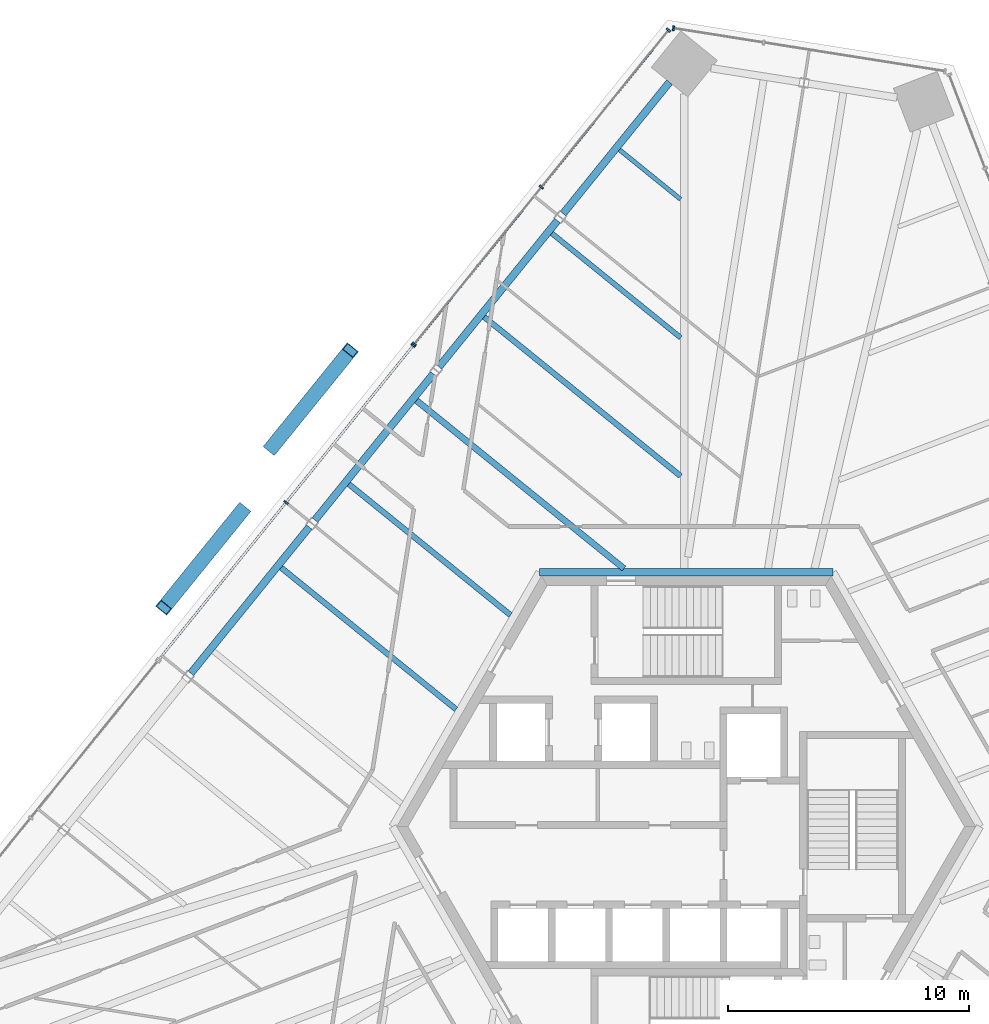
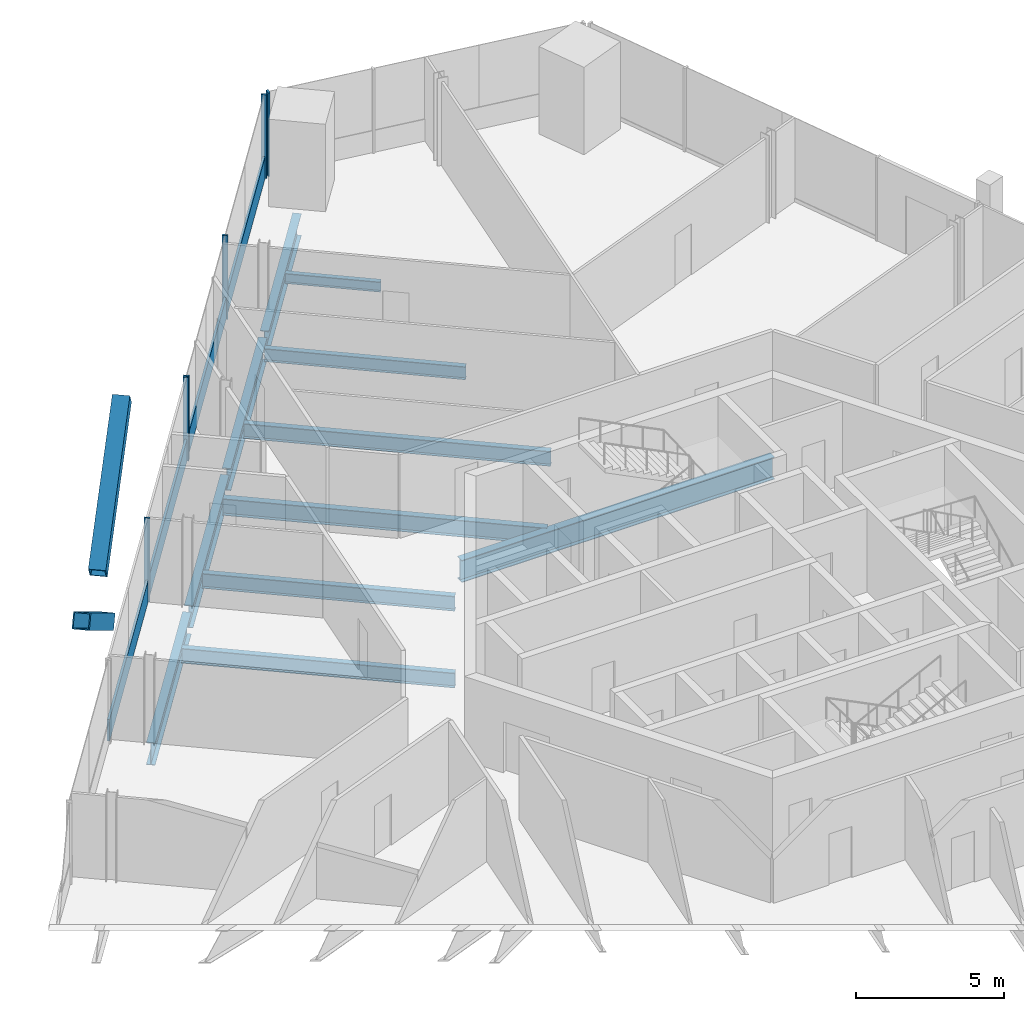
# One storey, part 7 of 18: 12 members, 11 beams, 3 elements without a shape of their own.
"""IFC4 building model written with IfcOpenShell, lengths in metres."""

from ifc_helpers import new_model, si_unit, direction, frame, origin, origin_2d, place, context, subcontext, project, spatial, rectangle, hollow_rectangle, i_section, extrude, source, transform, mapped, material, material_profile, profile_set, type_object, element, aggregate, save


model = new_model("IFC4")

# Units and contexts
model_context = context("Model", 3, precision=1e-05, world=origin(), true_north=direction((0.0, 1.0)))
body_context = subcontext(model_context, "Body", "Model", "MODEL_VIEW")
ifc_project = project(units=[si_unit("LENGTHUNIT", "METRE"), si_unit("AREAUNIT", "SQUARE_METRE"), si_unit("VOLUMEUNIT", "CUBIC_METRE"), si_unit("PLANEANGLEUNIT", "RADIAN"), si_unit("MASSUNIT", "GRAM", prefix="KILO")], contexts=[model_context])

# Site, building, storey
site_placement = place(None, origin())
site = spatial("IfcSite", under=ifc_project, at=site_placement, CompositionType="ELEMENT")
building_placement = place(site_placement, origin())
building = spatial("IfcBuilding", under=site, at=building_placement, Name="Triune Harvest Tower", CompositionType="ELEMENT")
storey_placement = place(building_placement, frame((0.0, 0.0, 156.89990234375)))
storey = spatial("IfcBuildingStorey", under=building, at=storey_placement, Name="L40", CompositionType="ELEMENT", Elevation=156.89990234375)

# Beams
ifc_material_1 = material(Name="Steel ASTM A992 Gr 50", Category="steel")
ifc_material_profile_1 = material_profile(ifc_material_1, i_section(OverallWidth=0.3046875, OverallDepth=0.914306640625, WebThickness=0.0166015625, FlangeThickness=0.02587890625, at=origin_2d()), Name="W36x160")
ifc_profile_set_1 = profile_set([ifc_material_profile_1], Name="Steel ASTM A992 Gr 50")
beam_type_1 = type_object("IfcBeamType", Name="CG-1 Core ring girder W36x160", PredefinedType="BEAM", material=ifc_profile_set_1)
shared_shape_1 = source(origin(), body_context, "Body", "SweptSolid", [
    extrude(i_section(OverallWidth=0.3046875, OverallDepth=0.914306640625, WebThickness=0.0166015625, FlangeThickness=0.02587890625, at=origin_2d()), origin(), (0.0, 0.0, 1.0), 12.17578125),
])
beam_1_placement = place(storey_placement, frame((6.087890625, 10.544677734375, -0.6171875), z_axis=(-1.0, 0.0, 0.0), x_axis=(0.0, -1.0, 0.0)))
element("IfcBeam", 1, at=beam_1_placement, inside=storey, type_object=beam_type_1, Name="beam/L40/CG2", PredefinedType="BEAM", context=body_context, shape_type="MappedRepresentation", body=[
    mapped(shared_shape_1, transform((0.0, 0.0, 0.0), scale=1.0)),
])
ifc_material_2 = material(Name="Steel ASTM A992 Gr 50", Category="steel")
ifc_material_profile_2 = material_profile(ifc_material_2, i_section(OverallWidth=0.3046875, OverallDepth=0.914306640625, WebThickness=0.0166015625, FlangeThickness=0.02587890625, at=origin_2d()), Name="W36x160")
ifc_profile_set_2 = profile_set([ifc_material_profile_2], Name="Steel ASTM A992 Gr 50")
beam_type_2 = type_object("IfcBeamType", Name="SB-1 Spandrel beam W36x160", PredefinedType="SPANDREL", material=ifc_profile_set_2)
shared_shape_2 = source(origin(), body_context, "Body", "SweptSolid", [
    extrude(i_section(OverallWidth=0.3046875, OverallDepth=0.914306640625, WebThickness=0.0166015625, FlangeThickness=0.02587890625, at=origin_2d()), origin(), (0.0, 0.0, 1.0), 7.013427734375),
])
beam_2_placement = place(storey_placement, frame((-0.69287109375, 30.8642578125, -0.6171875), z_axis=(-0.629311381255, -0.777153257358, 0.0), x_axis=(0.777153257358, -0.629311381255, 0.0)))
element("IfcBeam", 2, at=beam_2_placement, inside=storey, type_object=beam_type_2, Name="beam/L40/SB9", PredefinedType="SPANDREL", context=body_context, shape_type="MappedRepresentation", body=[
    mapped(shared_shape_2, transform((0.0, 0.0, 0.0), scale=1.0)),
])
shared_shape_3 = source(origin(), body_context, "Body", "SweptSolid", [
    extrude(i_section(OverallWidth=0.3046875, OverallDepth=0.914306640625, WebThickness=0.0166015625, FlangeThickness=0.02587890625, at=origin_2d()), origin(), (0.0, 0.0, 1.0), 7.801513671875),
])
for number, where, z_axis, x_axis, name in (
    (3, (-5.34130859375, 25.12353515625, -0.6171875), (-0.629351256413, -0.777120966163, 0.0), (0.777120966163, -0.629351256413, 0.0), "beam/L40/SB10"),
    (4, (-10.486083984375, 18.7705078125, -0.6171875), (-0.629317051779, -0.777148665533, 0.0), (0.777148665533, -0.629317051779, 0.0), "beam/L40/SB11"),
    (5, (-15.630859375, 12.417236328125, -0.6171875), (-0.629317051779, -0.777148665533, 0.0), (0.777148665533, -0.629317051779, 0.0), "beam/L40/SB12"),
):
    element("IfcBeam", number, at=place(storey_placement, frame(where, z_axis=z_axis, x_axis=x_axis)), inside=storey, type_object=beam_type_2, Name=name, PredefinedType="SPANDREL", context=body_context, shape_type="MappedRepresentation", body=[
        mapped(shared_shape_3, transform((0.0, 0.0, 0.0), scale=1.0)),
    ])
ifc_material_3 = material(Name="Steel ASTM A992 Gr 50", Category="steel")
ifc_material_profile_3 = material_profile(ifc_material_3, i_section(OverallWidth=0.22900390625, OverallDepth=0.612060546875, WebThickness=0.011962890625, FlangeThickness=0.01953125, at=origin_2d()), Name="W24x84")
ifc_profile_set_3 = profile_set([ifc_material_profile_3], Name="Steel ASTM A992 Gr 50")
beam_type_3 = type_object("IfcBeamType", Name="JT-3 Floor joist W24x84", PredefinedType="JOIST", material=ifc_profile_set_3)
shared_shape_4 = source(origin(), body_context, "Body", "SweptSolid", [
    extrude(i_section(OverallWidth=0.22900390625, OverallDepth=0.612060546875, WebThickness=0.011962890625, FlangeThickness=0.01953125, at=origin_2d()), origin(), (0.0, 0.0, 1.0), 10.482666015625),
])
beam_3_placement = place(storey_placement, frame((-8.37939453125, 21.1298828125, -0.466064453125), z_axis=(0.777144521909, -0.62932216874, 0.0), x_axis=(0.62932216874, 0.777144521909, 0.0)))
element("IfcBeam", 6, at=beam_3_placement, inside=storey, type_object=beam_type_3, Name="beam/L40/JT15", PredefinedType="JOIST", context=body_context, shape_type="MappedRepresentation", body=[
    mapped(shared_shape_4, transform((0.0, 0.0, 0.0), scale=1.0)),
])
ifc_material_4 = material(Name="Steel ASTM A992 Gr 50", Category="steel")
ifc_material_profile_4 = material_profile(ifc_material_4, i_section(OverallWidth=0.180908203125, OverallDepth=0.41650390625, WebThickness=0.010986328125, FlangeThickness=0.01806640625, at=origin_2d()), Name="W16x57")
ifc_profile_set_4 = profile_set([ifc_material_profile_4], Name="Steel ASTM A992 Gr 50")
beam_type_4 = type_object("IfcBeamType", Name="JT-1 Floor joist W16x57", PredefinedType="JOIST", material=ifc_profile_set_4)
shared_shape_5 = source(origin(), body_context, "Body", "SweptSolid", [
    extrude(i_section(OverallWidth=0.180908203125, OverallDepth=0.41650390625, WebThickness=0.010986328125, FlangeThickness=0.01806640625, at=origin_2d()), origin(), (0.0, 0.0, 1.0), 3.2607421875),
])
beam_4_placement = place(storey_placement, frame((-2.76708984375, 28.060546875, -0.3681640625), z_axis=(0.777166403411, -0.6292951465, 0.0), x_axis=(0.6292951465, 0.777166403411, 0.0)))
element("IfcBeam", 7, at=beam_4_placement, inside=storey, type_object=beam_type_4, Name="beam/L40/JT13", PredefinedType="JOIST", context=body_context, shape_type="MappedRepresentation", body=[
    mapped(shared_shape_5, transform((0.0, 0.0, 0.0), scale=1.0)),
])
ifc_material_5 = material(Name="Steel ASTM A992 Gr 50", Category="steel")
ifc_material_profile_5 = material_profile(ifc_material_5, i_section(OverallWidth=0.2099609375, OverallDepth=0.535888671875, WebThickness=0.010986328125, FlangeThickness=0.017333984375, at=origin_2d()), Name="W21x68")
ifc_profile_set_5 = profile_set([ifc_material_profile_5], Name="Steel ASTM A992 Gr 50")
beam_type_5 = type_object("IfcBeamType", Name="JT-2 Floor joist W21x68", PredefinedType="JOIST", material=ifc_profile_set_5)
shared_shape_6 = source(origin(), body_context, "Body", "SweptSolid", [
    extrude(i_section(OverallWidth=0.2099609375, OverallDepth=0.535888671875, WebThickness=0.010986328125, FlangeThickness=0.017333984375, at=origin_2d()), origin(), (0.0, 0.0, 1.0), 6.87158203125),
])
beam_5_placement = place(storey_placement, frame((-5.572998046875, 24.59521484375, -0.427978515625), z_axis=(0.777135642445, -0.629333133755, 0.0), x_axis=(0.629333133755, 0.777135642445, 0.0)))
element("IfcBeam", 8, at=beam_5_placement, inside=storey, type_object=beam_type_5, Name="beam/L40/JT14", PredefinedType="JOIST", context=body_context, shape_type="MappedRepresentation", body=[
    mapped(shared_shape_6, transform((0.0, 0.0, 0.0), scale=1.0)),
])
ifc_material_6 = material(Name="Steel ASTM A992 Gr 50", Category="steel")
ifc_material_profile_6 = material_profile(ifc_material_6, i_section(OverallWidth=0.253662109375, OverallDepth=0.683349609375, WebThickness=0.012451171875, FlangeThickness=0.01904296875, at=origin_2d()), Name="W27x94")
ifc_profile_set_6 = profile_set([ifc_material_profile_6], Name="Steel ASTM A992 Gr 50")
beam_type_6 = type_object("IfcBeamType", Name="JT-4 Floor joist W27x94", PredefinedType="JOIST", material=ifc_profile_set_6)
shared_shape_7 = source(origin(), body_context, "Body", "SweptSolid", [
    extrude(i_section(OverallWidth=0.253662109375, OverallDepth=0.683349609375, WebThickness=0.012451171875, FlangeThickness=0.01904296875, at=origin_2d()), origin(), (0.0, 0.0, 1.0), 11.0712890625),
])
beam_6_placement = place(storey_placement, frame((-11.185546875, 17.66455078125, -0.50146484375), z_axis=(0.777139586487, -0.6293282634, 0.0), x_axis=(0.6293282634, 0.777139586487, 0.0)))
element("IfcBeam", 9, at=beam_6_placement, inside=storey, type_object=beam_type_6, Name="beam/L40/JT16", PredefinedType="JOIST", context=body_context, shape_type="MappedRepresentation", body=[
    mapped(shared_shape_7, transform((0.0, 0.0, 0.0), scale=1.0)),
])
shared_shape_8 = source(origin(), body_context, "Body", "SweptSolid", [
    extrude(i_section(OverallWidth=0.22900390625, OverallDepth=0.612060546875, WebThickness=0.011962890625, FlangeThickness=0.01953125, at=origin_2d()), origin(), (0.0, 0.0, 1.0), 8.6259765625),
])
beam_7_placement = place(storey_placement, frame((-13.99169921875, 14.19921875, -0.466064453125), z_axis=(0.777146653343, -0.629319536641, 0.0), x_axis=(0.629319536641, 0.777146653343, 0.0)))
element("IfcBeam", 10, at=beam_7_placement, inside=storey, type_object=beam_type_3, Name="beam/L40/JT17", PredefinedType="JOIST", context=body_context, shape_type="MappedRepresentation", body=[
    mapped(shared_shape_8, transform((0.0, 0.0, 0.0), scale=1.0)),
])
shared_shape_9 = source(origin(), body_context, "Body", "SweptSolid", [
    extrude(i_section(OverallWidth=0.22900390625, OverallDepth=0.612060546875, WebThickness=0.011962890625, FlangeThickness=0.01953125, at=origin_2d()), origin(), (0.0, 0.0, 1.0), 9.33251953125),
])
beam_8_placement = place(storey_placement, frame((-16.798095703125, 10.73388671875, -0.466064453125), z_axis=(0.777149214732, -0.629316373568, 0.0), x_axis=(0.629316373568, 0.777149214732, 0.0)))
element("IfcBeam", 11, at=beam_8_placement, inside=storey, type_object=beam_type_3, Name="beam/L40/JT18", PredefinedType="JOIST", context=body_context, shape_type="MappedRepresentation", body=[
    mapped(shared_shape_9, transform((0.0, 0.0, 0.0), scale=1.0)),
])

# Members
ifc_material_7 = material(Name="Steel ASTM A572 Gr 50", Category="steel")
ifc_material_profile_7 = material_profile(ifc_material_7, hollow_rectangle(XDim=0.60009765625, YDim=0.60009765625, WallThickness=0.0400390625, at=origin_2d()), Name="Box 600x600x40")
ifc_profile_set_7 = profile_set([ifc_material_profile_7], Name="Steel ASTM A572 Gr 50")
member_type_1 = type_object("IfcMemberType", Name="BR-2 Brace Box 600x600x40", PredefinedType="BRACE", material=ifc_profile_set_7)
shared_shape_10 = source(origin(), body_context, "Body", "SweptSolid", [
    extrude(hollow_rectangle(XDim=0.60009765625, YDim=0.60009765625, WallThickness=0.0400390625, at=origin_2d()), origin(), (0.0, 0.0, 1.0), 6.3291015625),
])
member_1_placement = place(storey_placement, frame((-17.205078125, 15.698974609375, 0.0), z_axis=(0.517590508098, 0.639176831062, 0.568817233002), x_axis=(-0.777148746815, 0.629316951404, 0.0)))
element("IfcMember", 12, at=member_1_placement, inside=storey, type_object=member_type_1, Name="brace/B4-F3/d2/6", PredefinedType="BRACE", context=body_context, shape_type="MappedRepresentation", body=[
    mapped(shared_shape_10, transform((0.0, 0.0, 0.0), scale=1.0)),
])
shared_shape_11 = source(origin(), body_context, "Body", "SweptSolid", [
    extrude(hollow_rectangle(XDim=0.60009765625, YDim=0.60009765625, WallThickness=0.0400390625, at=origin_2d()), origin(), (0.0, 0.0, 1.0), 6.329345703125),
])
member_2_placement = place(storey_placement, frame((-18.388916015625, 13.124755859375, 0.0), z_axis=(-0.517605985809, -0.639186883587, 0.568791852355), x_axis=(0.777144383745, -0.629322339357, 0.0)))
element("IfcMember", 13, at=member_2_placement, inside=storey, type_object=member_type_1, Name="brace/B4-F3/d1/6", PredefinedType="BRACE", context=body_context, shape_type="MappedRepresentation", body=[
    mapped(shared_shape_11, transform((0.0, 0.0, 0.0), scale=1.0)),
])

# Curtain wall, member
ifc_material_8 = material(Name="Aluminium bronze anodised", Category="aluminium")
curtain_wall_type_1 = type_object("IfcCurtainWallType", Name="CW-1 Tower stick curtain wall", PredefinedType="NOTDEFINED", material=ifc_material_8)
curtain_wall_1_placement = place(storey_placement, origin())
curtain_wall_1 = element("IfcCurtainWall", 14, at=curtain_wall_1_placement, inside=storey, type_object=curtain_wall_type_1, Name="CW-1 B4-F2 L40 run 1")
ifc_material_9 = material(Name="Aluminium bronze anodised", Category="aluminium")
ifc_material_profile_8 = material_profile(ifc_material_9, rectangle(XDim=0.199951171875, YDim=0.074951171875, at=origin_2d()), Name="MU-1 mullion 75 x 200")
ifc_profile_set_8 = profile_set([ifc_material_profile_8], Name="Aluminium bronze anodised")
member_type_2 = type_object("IfcMemberType", Name="MU-1 mullion 75 x 200", PredefinedType="MULLION", material=ifc_profile_set_8)
shared_shape_12 = source(origin(), body_context, "Body", "SweptSolid", [
    extrude(rectangle(XDim=0.199951171875, YDim=0.074951171875, at=origin_2d()), origin(), (0.0, 0.0, 1.0), 3.440185546875),
])
member_3_placement = place(storey_placement, frame((-0.528076171875, 33.09912109375, 0.0), z_axis=(0.0, 0.0, 1.0), x_axis=(-0.156432728322, -0.987688615663, 0.0)))
member_3 = element("IfcMember", 15, at=member_3_placement, type_object=member_type_2, Name="CW-1 mullion B4-F2 1.4", PredefinedType="MULLION", context=body_context, shape_type="MappedRepresentation", body=[
    mapped(shared_shape_12, transform((0.0, 0.0, 0.0), scale=1.0)),
])
aggregate(curtain_wall_1, [member_3])

# Curtain wall, members
curtain_wall_2_placement = place(storey_placement, origin())
curtain_wall_2 = element("IfcCurtainWall", 16, at=curtain_wall_2_placement, inside=storey, type_object=curtain_wall_type_1, Name="CW-1 B4-F3 L40 run 1")
member_4_placement = place(storey_placement, frame((-0.734130859375, 33.02001953125, 0.0), z_axis=(0.0, 0.0, 1.0), x_axis=(0.77714338231, -0.629323576018, 0.0)))
member_4 = element("IfcMember", 17, at=member_4_placement, type_object=member_type_2, Name="CW-1 mullion B4-F3 1.1", PredefinedType="MULLION", context=body_context, shape_type="MappedRepresentation", body=[
    mapped(shared_shape_12, transform((0.0, 0.0, 0.0), scale=1.0)),
])
member_5_placement = place(storey_placement, frame((-6.004638671875, 26.511474609375, 0.0), z_axis=(0.0, 0.0, 1.0), x_axis=(0.77714338231, -0.629323576018, 0.0)))
member_5 = element("IfcMember", 18, at=member_5_placement, type_object=member_type_2, Name="CW-1 mullion B4-F3 1.3", PredefinedType="MULLION", context=body_context, shape_type="MappedRepresentation", body=[
    mapped(shared_shape_12, transform((0.0, 0.0, 0.0), scale=1.0)),
])
member_6_placement = place(storey_placement, frame((-11.27490234375, 20.003173828125, 0.0), z_axis=(0.0, 0.0, 1.0), x_axis=(0.77714338231, -0.629323576018, 0.0)))
member_6 = element("IfcMember", 19, at=member_6_placement, type_object=member_type_2, Name="CW-1 mullion B4-F3 1.5", PredefinedType="MULLION", context=body_context, shape_type="MappedRepresentation", body=[
    mapped(shared_shape_12, transform((0.0, 0.0, 0.0), scale=1.0)),
])

ifc_material_10 = material(Name="Aluminium bronze anodised", Category="aluminium")
curtain_wall_type_2 = type_object("IfcCurtainWallType", Name="CW-7 Tower stick curtain wall with insulated spandrel infill", PredefinedType="NOTDEFINED", material=ifc_material_10)
curtain_wall_3_placement = place(storey_placement, origin())
curtain_wall_3 = element("IfcCurtainWall", 20, at=curtain_wall_3_placement, inside=storey, type_object=curtain_wall_type_2, Name="CW-7 B4-F3 L40 run 1001")
member_7_placement = place(storey_placement, frame((-11.322265625, 19.94482421875, 0.0), z_axis=(0.0, 0.0, 1.0), x_axis=(0.777148525071, -0.629317225237, 0.0)))
member_7 = element("IfcMember", 21, at=member_7_placement, type_object=member_type_2, Name="CW-7 mullion B4-F3 1001.1", PredefinedType="MULLION", context=body_context, shape_type="MappedRepresentation", body=[
    mapped(shared_shape_12, transform((0.0, 0.0, 0.0), scale=1.0)),
])
member_8_placement = place(storey_placement, frame((-16.592529296875, 13.436279296875, 0.0), z_axis=(0.0, 0.0, 1.0), x_axis=(0.777148525071, -0.629317225237, 0.0)))
member_8 = element("IfcMember", 22, at=member_8_placement, type_object=member_type_2, Name="CW-7 mullion B4-F3 1001.3", PredefinedType="MULLION", context=body_context, shape_type="MappedRepresentation", body=[
    mapped(shared_shape_12, transform((0.0, 0.0, 0.0), scale=1.0)),
])

# Member
ifc_material_11 = material(Name="Aluminium bronze anodised", Category="aluminium")
ifc_material_profile_9 = material_profile(ifc_material_11, rectangle(XDim=0.090087890625, YDim=0.89990234375, at=origin_2d()), Name="TR-1 transom 90 x 900")
ifc_profile_set_9 = profile_set([ifc_material_profile_9], Name="Aluminium bronze anodised")
member_type_3 = type_object("IfcMemberType", Name="TR-1 transom 90 x 900", PredefinedType="USERDEFINED", material=ifc_profile_set_9)
shared_shape_13 = source(origin(), body_context, "Body", "SweptSolid", [
    extrude(rectangle(XDim=0.090087890625, YDim=0.89990234375, at=origin_2d()), origin(), (0.0, 0.0, 1.0), 8.299560546875),
])
member_9_placement = place(storey_placement, frame((-0.7578125, 32.99072265625, 0.4501953125), z_axis=(-0.629325998453, -0.777141420638, 0.0), x_axis=(0.777141420638, -0.629325998453, 0.0)))
member_9 = element("IfcMember", 23, at=member_9_placement, type_object=member_type_3, Name="CW-1 transom B4-F3 1.1", ObjectType="TRANSOM", PredefinedType="USERDEFINED", context=body_context, shape_type="MappedRepresentation", body=[
    mapped(shared_shape_13, transform((0.0, 0.0, 0.0), scale=1.0)),
])

shared_shape_14 = source(origin(), body_context, "Body", "SweptSolid", [
    extrude(rectangle(XDim=0.090087890625, YDim=0.89990234375, at=origin_2d()), origin(), (0.0, 0.0, 1.0), 8.2998046875),
])
member_10_placement = place(storey_placement, frame((-16.6162109375, 13.4072265625, 0.4501953125), z_axis=(-0.629311612033, -0.777153070483, 0.0), x_axis=(0.777153070483, -0.629311612033, 0.0)))
member_10 = element("IfcMember", 24, at=member_10_placement, type_object=member_type_3, Name="CW-7 transom B4-F3 1001.2", ObjectType="TRANSOM", PredefinedType="USERDEFINED", context=body_context, shape_type="MappedRepresentation", body=[
    mapped(shared_shape_14, transform((0.0, 0.0, 0.0), scale=1.0)),
])

shared_shape_15 = source(origin(), body_context, "Body", "SweptSolid", [
    extrude(rectangle(XDim=0.090087890625, YDim=0.89990234375, at=origin_2d()), origin(), (0.0, 0.0, 1.0), 8.300048828125),
])
member_11_placement = place(storey_placement, frame((-6.028076171875, 26.482421875, 0.4501953125), z_axis=(-0.629329377426, -0.777138684347, 0.0), x_axis=(0.777138684347, -0.629329377426, 0.0)))
member_11 = element("IfcMember", 25, at=member_11_placement, type_object=member_type_3, Name="CW-1 transom B4-F3 1.2", ObjectType="TRANSOM", PredefinedType="USERDEFINED", context=body_context, shape_type="MappedRepresentation", body=[
    mapped(shared_shape_15, transform((0.0, 0.0, 0.0), scale=1.0)),
])

aggregate(curtain_wall_2, [member_4, member_5, member_6, member_9, member_11])

member_12_placement = place(storey_placement, frame((-11.345703125, 19.915771484375, 0.4501953125), z_axis=(-0.629329377426, -0.777138684347, 0.0), x_axis=(0.777138684347, -0.629329377426, 0.0)))
member_12 = element("IfcMember", 26, at=member_12_placement, type_object=member_type_3, Name="CW-7 transom B4-F3 1001.1", ObjectType="TRANSOM", PredefinedType="USERDEFINED", context=body_context, shape_type="MappedRepresentation", body=[
    mapped(shared_shape_15, transform((0.0, 0.0, 0.0), scale=1.0)),
])

aggregate(curtain_wall_3, [member_7, member_8, member_12, member_10])

save(model, "model.ifc")
